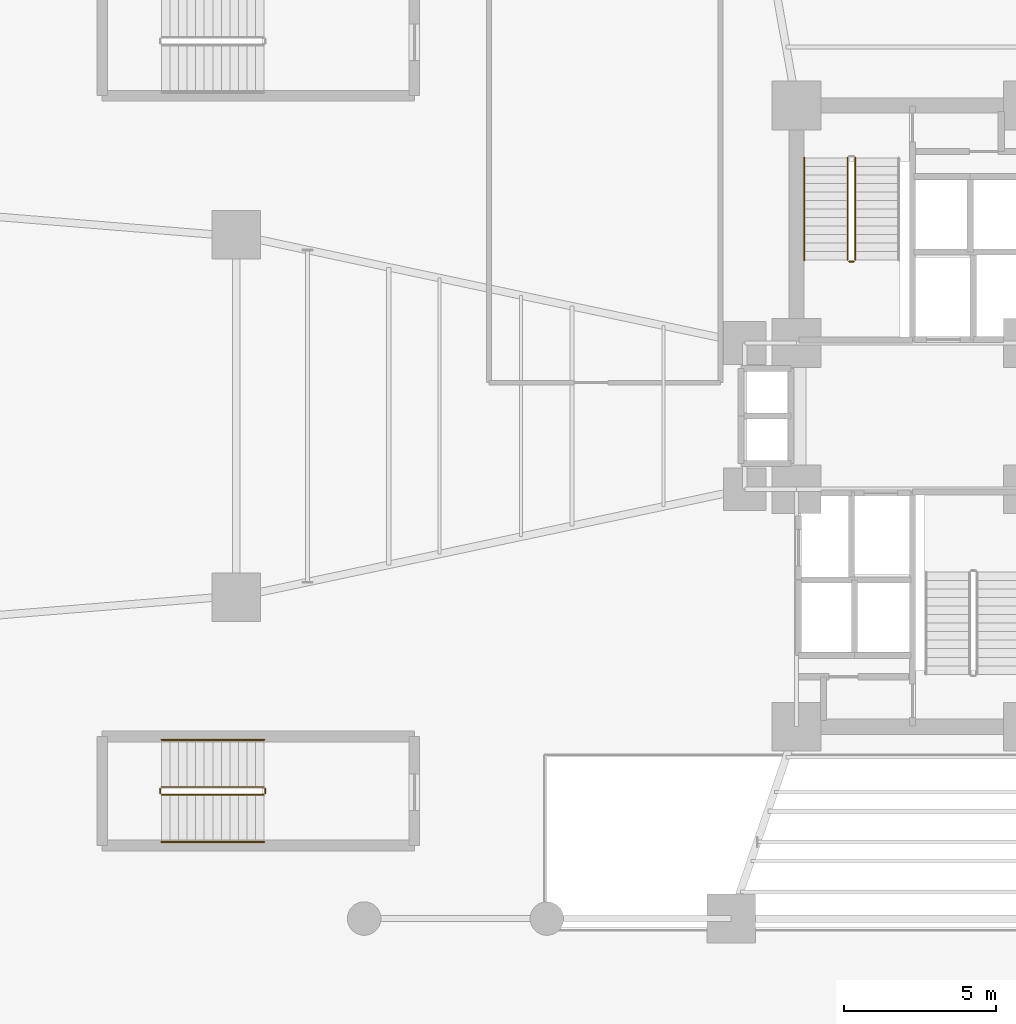
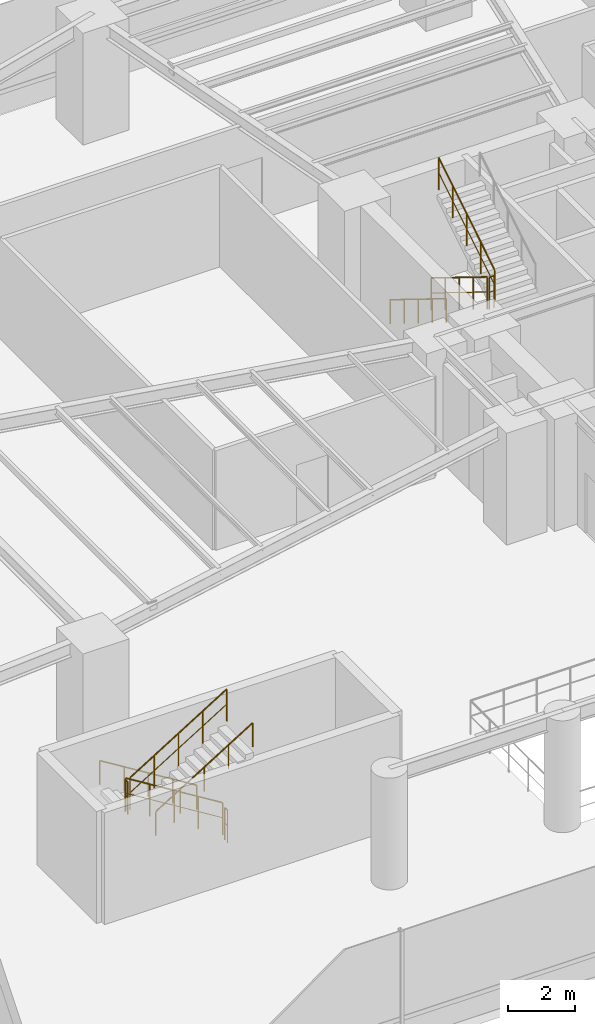
# One storey, part 20 of 23: 10 railings.
"""IFC4 building model written with IfcOpenShell, lengths in metres."""

import ifcopenshell
import ifcopenshell.guid

model = None  # the IFC model being written
_history = None  # IfcOwnerHistory: only IFC2X3 demands one
_inside = {}  # id of a spatial element -> (the spatial element, [elements in it])
_under = {}  # id of a project, library or spatial element -> (it, [spatial elements below it])
_declared = {}  # id of a project -> (the project, [libraries it declares])
_typed = {}  # id of a type object -> (the type object, [elements of that type])
_made_of = {}  # id of a material, layer set ... -> (it, [elements and type objects made of it])


def new_model(schema):
    """Start an empty IFC model of exactly this schema.

    Asked for "IFC4X3", IfcOpenShell would pick the latest addendum, in which some entities
    have other attributes; the version numbers below select the first issue.
    IFC2X3 requires an IfcOwnerHistory on every rooted entity: one is made here for all.
    """
    global model, _history
    if schema == "IFC4X3":
        model = ifcopenshell.file(schema_version=(4, 3, 0, 0))
    else:
        model = ifcopenshell.file(schema=schema)
    _inside.clear()
    _under.clear()
    _declared.clear()
    _typed.clear()
    _made_of.clear()
    _history = None
    if model.schema == "IFC2X3":
        org = make("IfcOrganization", Name="unknown")
        user = make(
            "IfcPersonAndOrganization",
            ThePerson=make("IfcPerson", FamilyName="unknown"),
            TheOrganization=org,
        )
        app = make(
            "IfcApplication",
            ApplicationDeveloper=org,
            Version="unknown",
            ApplicationFullName="unknown",
            ApplicationIdentifier="unknown",
        )
        _history = make(
            "IfcOwnerHistory",
            OwningUser=user,
            OwningApplication=app,
            ChangeAction="ADDED",
            CreationDate=0,
        )
    return model


def make(cls, **values):
    """One entity of the class cls with the attributes given. An attribute that is None is left unset."""
    return model.create_entity(
        cls, **{name: value for name, value in values.items() if value is not None}
    )


def rooted(cls, **values):
    """An entity with a GlobalId (a new one), such as an element, a storey or a relation."""
    return make(cls, GlobalId=ifcopenshell.guid.new(), OwnerHistory=_history, **values)


def si_unit(unit_type, name, prefix=None):
    """IfcSIUnit, for example si_unit("LENGTHUNIT", "METRE", prefix="MILLI")."""
    return make("IfcSIUnit", UnitType=unit_type, Prefix=prefix, Name=name)


def assignment(units):
    """IfcUnitAssignment: the units of a project."""
    return None if units is None else make("IfcUnitAssignment", Units=units)


def point(xyz):
    """IfcCartesianPoint."""
    return None if xyz is None else make("IfcCartesianPoint", Coordinates=xyz)


def direction(xyz):
    """IfcDirection."""
    return None if xyz is None else make("IfcDirection", DirectionRatios=xyz)


def frame(location, z_axis=None, x_axis=None):
    """IfcAxis2Placement3D, a coordinate frame: its origin and axes. An axis left out is left unset."""
    return make(
        "IfcAxis2Placement3D",
        Location=point(location),
        Axis=direction(z_axis),
        RefDirection=direction(x_axis),
    )


def frame_2d(location, x_axis=None):
    """IfcAxis2Placement2D, a coordinate frame in the plane: its origin and x axis."""
    return make(
        "IfcAxis2Placement2D", Location=point(location), RefDirection=direction(x_axis)
    )


def origin():
    """The frame at (0, 0, 0) with its axes left unset."""
    return frame((0.0, 0.0, 0.0))


def origin_2d():
    """The frame at (0, 0) in the plane with its x axis left unset."""
    return frame_2d((0.0, 0.0))


def place(relative_to, where):
    """IfcLocalPlacement: puts the frame where relative to a parent placement (None: the world)."""
    return make(
        "IfcLocalPlacement", PlacementRelTo=relative_to, RelativePlacement=where
    )


def context(
    kind, dimensions, precision=None, world=None, true_north=None, identifier=None
):
    """IfcGeometricRepresentationContext, for example the 3D "Model" context."""
    return make(
        "IfcGeometricRepresentationContext",
        ContextIdentifier=identifier,
        ContextType=kind,
        CoordinateSpaceDimension=dimensions,
        Precision=precision,
        WorldCoordinateSystem=world,
        TrueNorth=true_north,
    )


def subcontext(parent, identifier, kind, view, scale=None):
    """IfcGeometricRepresentationSubContext, for example "Body" below "Model"."""
    return make(
        "IfcGeometricRepresentationSubContext",
        ContextIdentifier=identifier,
        ContextType=kind,
        ParentContext=parent,
        TargetScale=scale,
        TargetView=view,
    )


def project(units=None, contexts=None):
    """IfcProject with its units and contexts."""
    return rooted(
        "IfcProject",
        Name="project",
        RepresentationContexts=contexts,
        UnitsInContext=assignment(units),
    )


def spatial(cls, under=None, at=None, **own):
    """A site, building, storey or space (cls), placed at a placement, below another one or the project."""
    s = rooted(cls, ObjectPlacement=at, **own)
    if under is not None:
        _under.setdefault(under.id(), (under, []))[1].append(s)
    return s


def profile(cls, at=None, kind="AREA", **sizes):
    """A parametric profile (cls). Its sizes go by their IFC names, for example OverallWidth=200.0."""
    return make(cls, ProfileType=kind, Position=at, **sizes)


def circle(**sizes):
    """IfcCircleProfileDef."""
    return profile("IfcCircleProfileDef", **sizes)


def extrude(swept, where, along, depth):
    """IfcExtrudedAreaSolid: the profile swept, set in the frame where, extruded along a direction by depth."""
    return make(
        "IfcExtrudedAreaSolid",
        SweptArea=swept,
        Position=where,
        ExtrudedDirection=direction(along),
        Depth=depth,
    )


def shape(context_of_items, identifier, shape_type, items):
    """IfcShapeRepresentation: the items that make up one representation, for example the "Body"."""
    return make(
        "IfcShapeRepresentation",
        ContextOfItems=context_of_items,
        RepresentationIdentifier=identifier,
        RepresentationType=shape_type,
        Items=items,
    )


def material(Name=None, Category=None):
    """IfcMaterial."""
    return make("IfcMaterial", Name=Name, Category=Category)


def made_of(thing, what):
    """Note that an element or type object is made of a material, layer set ...; save() writes the relation."""
    if what is not None:
        _made_of.setdefault(what.id(), (what, []))[1].append(thing)
    return thing


def type_object(cls, material=None, **own):
    """A type object (cls), such as IfcWallType, which elements share."""
    return made_of(rooted(cls, **own), material)


def element(
    cls,
    number,
    at=None,
    inside=None,
    cuts=None,
    type_object=None,
    material=None,
    context=None,
    identifier="Body",
    shape_type=None,
    held_by="IfcProductDefinitionShape",
    body=None,
    shapes=None,
    **own,
):
    """One element of the class cls, such as IfcWall. Its Tag is "e" and its number.

    at: its placement. inside: the storey or other place that contains it. cuts: it is an
    opening in that element (IfcRelVoidsElement). A single representation is given by context,
    identifier, shape_type and body (its items); several are given by shapes. held_by: the class
    of the entity that holds the representations. save() writes the other relations.
    """
    e = rooted(cls, Tag="e%d" % number, ObjectPlacement=at, **own)
    if body is not None:
        shapes = [shape(context, identifier, shape_type, body)]
    if shapes is not None:
        e.Representation = make(held_by, Representations=shapes)
    if inside is not None:
        _inside.setdefault(inside.id(), (inside, []))[1].append(e)
    if cuts is not None:
        rooted(
            "IfcRelVoidsElement", RelatingBuildingElement=cuts, RelatedOpeningElement=e
        )
    if type_object is not None:
        _typed.setdefault(type_object.id(), (type_object, []))[1].append(e)
    return made_of(e, material)


def aggregate(whole, parts):
    """IfcRelAggregates: a whole, such as a stair, and the parts it consists of."""
    return rooted("IfcRelAggregates", RelatingObject=whole, RelatedObjects=parts)


def save(model, path):
    """Write the relations noted so far, then the file.

    IfcRelAggregates (storeys below a building ...), IfcRelContainedInSpatialStructure (elements
    in a storey), IfcRelDefinesByType, IfcRelAssociatesMaterial and IfcRelDeclares: one each for
    every whole, place, type object, material and project.
    """
    for whole, parts in _under.values():
        aggregate(whole, parts)
    for where, things in _inside.values():
        rooted(
            "IfcRelContainedInSpatialStructure",
            RelatedElements=things,
            RelatingStructure=where,
        )
    for kind, things in _typed.values():
        rooted("IfcRelDefinesByType", RelatedObjects=things, RelatingType=kind)
    for what, things in _made_of.values():
        rooted("IfcRelAssociatesMaterial", RelatedObjects=things, RelatingMaterial=what)
    for by, libraries in _declared.values():
        rooted("IfcRelDeclares", RelatingContext=by, RelatedDefinitions=libraries)
    model.write(path)


model = new_model("IFC4")

# Units and contexts
model_context = context("Model", 3, precision=1e-05, world=origin(), true_north=direction((0.0, 1.0)))
body_context = subcontext(model_context, "Body", "Model", "MODEL_VIEW")
ifc_project = project(units=[si_unit("LENGTHUNIT", "METRE"), si_unit("AREAUNIT", "SQUARE_METRE"), si_unit("VOLUMEUNIT", "CUBIC_METRE"), si_unit("PLANEANGLEUNIT", "RADIAN"), si_unit("MASSUNIT", "GRAM", prefix="KILO")], contexts=[model_context])

# Site, building, storey
site_placement = place(None, origin())
site = spatial("IfcSite", under=ifc_project, at=site_placement, CompositionType="ELEMENT")
building_placement = place(site_placement, origin())
building = spatial("IfcBuilding", under=site, at=building_placement, Name="Sahyath Konkavel Grand Hotel", CompositionType="ELEMENT")
storey_placement = place(building_placement, frame((0.0, 0.0, 4.800048828125)))
storey = spatial("IfcBuildingStorey", under=building, at=storey_placement, Name="L01", CompositionType="ELEMENT", Elevation=4.800048828125)

# Railings
ifc_material_1 = material(Name="Steel E350", Category="steel")
railing_type_1 = type_object("IfcRailingType", Name="RLG-STAIR-GRD", PredefinedType="GUARDRAIL", material=ifc_material_1)
railing_1_placement = place(storey_placement, frame((-2.1298828125, 8.47998046875, 0.173095703125)))
element("IfcRailing", 1, at=railing_1_placement, inside=storey, type_object=railing_type_1, Name="L01 ST-1 stair guard 1", PredefinedType="GUARDRAIL", context=body_context, shape_type="SweptSolid", body=[
    extrude(circle(Radius=0.02392578125, at=origin_2d()), frame((0.0, -0.001708984375, 1.177001953125), z_axis=(0.0, -0.850606129759, 0.525803396734), x_axis=(1.0, 0.0, 0.0)), (0.0, 0.0, 1.0), 3.946044921875),
    extrude(circle(Radius=0.01416015625, at=origin_2d()), frame((0.0, -0.001708984375, 0.625), z_axis=(0.0, -0.850606129759, 0.525803396734), x_axis=(1.0, 0.0, 0.0)), (0.0, 0.0, 1.0), 3.946044921875),
    extrude(circle(Radius=0.02099609375, at=origin_2d()), origin(), (0.0, 0.0, 1.0), 1.15185546875),
    extrude(circle(Radius=0.02099609375, at=origin_2d()), frame((0.0, -0.83984375, 0.519287109375)), (0.0, 0.0, 1.0), 1.15185546875),
    extrude(circle(Radius=0.02099609375, at=origin_2d()), frame((0.0, -1.679931640625, 1.03857421875)), (0.0, 0.0, 1.0), 1.15185546875),
    extrude(circle(Radius=0.02099609375, at=origin_2d()), frame((0.0, -2.52001953125, 1.5576171875)), (0.0, 0.0, 1.0), 1.15185546875),
    extrude(circle(Radius=0.02099609375, at=origin_2d()), frame((0.0, -3.35986328125, 2.076904296875)), (0.0, 0.0, 1.0), 1.15185546875),
])
railing_2_placement = place(storey_placement, frame((-2.080078125, 5.070068359375, 2.25)))
element("IfcRailing", 2, at=railing_2_placement, inside=storey, type_object=railing_type_1, Name="L01 ST-1 stair guard 2", PredefinedType="GUARDRAIL", context=body_context, shape_type="SweptSolid", body=[
    extrude(circle(Radius=0.02392578125, at=origin_2d()), frame((0.001953125, 0.0, 1.17578125), z_axis=(1.0, 0.0, 0.0), x_axis=(0.0, 1.0, 0.0)), (0.0, 0.0, 1.0), 0.15625),
    extrude(circle(Radius=0.01416015625, at=origin_2d()), frame((0.001953125, 0.0, 0.6240234375), z_axis=(1.0, 0.0, 0.0), x_axis=(0.0, 1.0, 0.0)), (0.0, 0.0, 1.0), 0.15625),
    extrude(circle(Radius=0.02099609375, at=origin_2d()), origin(), (0.0, 0.0, 1.0), 1.15185546875),
    extrude(circle(Radius=0.02099609375, at=origin_2d()), frame((0.16015625, 0.0, 0.0)), (0.0, 0.0, 1.0), 1.15185546875),
])
railing_3_placement = place(storey_placement, frame((-1.8701171875, 5.1201171875, 2.423095703125)))
element("IfcRailing", 3, at=railing_3_placement, inside=storey, type_object=railing_type_1, Name="L01 ST-1 stair guard 3", PredefinedType="GUARDRAIL", context=body_context, shape_type="SweptSolid", body=[
    extrude(circle(Radius=0.02392578125, at=origin_2d()), frame((0.0, 0.001708984375, 1.177001953125), z_axis=(0.0, 0.850606129759, 0.525803396734), x_axis=(-1.0, 0.0, 0.0)), (0.0, 0.0, 1.0), 3.946044921875),
    extrude(circle(Radius=0.01416015625, at=origin_2d()), frame((0.0, 0.001708984375, 0.625), z_axis=(0.0, 0.850606129759, 0.525803396734), x_axis=(-1.0, 0.0, 0.0)), (0.0, 0.0, 1.0), 3.946044921875),
    extrude(circle(Radius=0.02099609375, at=origin_2d()), origin(), (0.0, 0.0, 1.0), 1.15185546875),
    extrude(circle(Radius=0.02099609375, at=origin_2d()), frame((0.0, 0.83984375, 0.519287109375)), (0.0, 0.0, 1.0), 1.15185546875),
    extrude(circle(Radius=0.02099609375, at=origin_2d()), frame((0.0, 1.679931640625, 1.03857421875)), (0.0, 0.0, 1.0), 1.15185546875),
    extrude(circle(Radius=0.02099609375, at=origin_2d()), frame((0.0, 2.52001953125, 1.5576171875)), (0.0, 0.0, 1.0), 1.15185546875),
    extrude(circle(Radius=0.02099609375, at=origin_2d()), frame((0.0, 3.35986328125, 2.076904296875)), (0.0, 0.0, 1.0), 1.15185546875),
])
railing_4_placement = place(storey_placement, frame((-21.2900390625, -12.179931640625, 0.173095703125)))
element("IfcRailing", 4, at=railing_4_placement, inside=storey, type_object=railing_type_1, Name="L01 ST-P3 stair guard 1", PredefinedType="GUARDRAIL", context=body_context, shape_type="SweptSolid", body=[
    extrude(circle(Radius=0.02392578125, at=origin_2d()), frame((-0.001708984375, 0.0, 1.177001953125), z_axis=(-0.850606129759, 0.0, 0.525803396734), x_axis=(0.0, -1.0, 0.0)), (0.0, 0.0, 1.0), 3.946044921875),
    extrude(circle(Radius=0.01416015625, at=origin_2d()), frame((-0.001708984375, 0.0, 0.625), z_axis=(-0.850606129759, 0.0, 0.525803396734), x_axis=(0.0, -1.0, 0.0)), (0.0, 0.0, 1.0), 3.946044921875),
    extrude(circle(Radius=0.02099609375, at=origin_2d()), origin(), (0.0, 0.0, 1.0), 1.15185546875),
    extrude(circle(Radius=0.02099609375, at=origin_2d()), frame((-0.83984375, 0.0, 0.519287109375)), (0.0, 0.0, 1.0), 1.15185546875),
    extrude(circle(Radius=0.02099609375, at=origin_2d()), frame((-1.679931640625, 0.0, 1.03857421875)), (0.0, 0.0, 1.0), 1.15185546875),
    extrude(circle(Radius=0.02099609375, at=origin_2d()), frame((-2.52001953125, 0.0, 1.5576171875)), (0.0, 0.0, 1.0), 1.15185546875),
    extrude(circle(Radius=0.02099609375, at=origin_2d()), frame((-3.35986328125, 0.0, 2.076904296875)), (0.0, 0.0, 1.0), 1.15185546875),
])
railing_5_placement = place(storey_placement, frame((-24.699951171875, -12.22998046875, 2.25)))
element("IfcRailing", 5, at=railing_5_placement, inside=storey, type_object=railing_type_1, Name="L01 ST-P3 stair guard 2", PredefinedType="GUARDRAIL", context=body_context, shape_type="SweptSolid", body=[
    extrude(circle(Radius=0.02392578125, at=origin_2d()), frame((0.0, -0.001953125, 1.17578125), z_axis=(0.0, -1.0, 0.0), x_axis=(1.0, 0.0, 0.0)), (0.0, 0.0, 1.0), 0.156005859375),
    extrude(circle(Radius=0.01416015625, at=origin_2d()), frame((0.0, -0.001953125, 0.6240234375), z_axis=(0.0, -1.0, 0.0), x_axis=(1.0, 0.0, 0.0)), (0.0, 0.0, 1.0), 0.156005859375),
    extrude(circle(Radius=0.02099609375, at=origin_2d()), origin(), (0.0, 0.0, 1.0), 1.15185546875),
    extrude(circle(Radius=0.02099609375, at=origin_2d()), frame((0.0, -0.159912109375, 0.0)), (0.0, 0.0, 1.0), 1.15185546875),
])
railing_6_placement = place(storey_placement, frame((-24.64990234375, -12.43994140625, 2.423095703125)))
element("IfcRailing", 6, at=railing_6_placement, inside=storey, type_object=railing_type_1, Name="L01 ST-P3 stair guard 3", PredefinedType="GUARDRAIL", context=body_context, shape_type="SweptSolid", body=[
    extrude(circle(Radius=0.02392578125, at=origin_2d()), frame((0.001708984375, 0.0, 1.177001953125), z_axis=(0.850606129759, 0.0, 0.525803396734), x_axis=(0.0, 1.0, 0.0)), (0.0, 0.0, 1.0), 3.946044921875),
    extrude(circle(Radius=0.01416015625, at=origin_2d()), frame((0.001708984375, 0.0, 0.625), z_axis=(0.850606129759, 0.0, 0.525803396734), x_axis=(0.0, 1.0, 0.0)), (0.0, 0.0, 1.0), 3.946044921875),
    extrude(circle(Radius=0.02099609375, at=origin_2d()), origin(), (0.0, 0.0, 1.0), 1.15185546875),
    extrude(circle(Radius=0.02099609375, at=origin_2d()), frame((0.83984375, 0.0, 0.519287109375)), (0.0, 0.0, 1.0), 1.15185546875),
    extrude(circle(Radius=0.02099609375, at=origin_2d()), frame((1.679931640625, 0.0, 1.03857421875)), (0.0, 0.0, 1.0), 1.15185546875),
    extrude(circle(Radius=0.02099609375, at=origin_2d()), frame((2.52001953125, 0.0, 1.5576171875)), (0.0, 0.0, 1.0), 1.15185546875),
    extrude(circle(Radius=0.02099609375, at=origin_2d()), frame((3.35986328125, 0.0, 2.076904296875)), (0.0, 0.0, 1.0), 1.15185546875),
])
railing_7_placement = place(storey_placement, frame((-21.239990234375, -12.22998046875, 0.0)))
element("IfcRailing", 7, at=railing_7_placement, inside=storey, type_object=railing_type_1, Name="L01 ST-P3 stair guard 4", PredefinedType="GUARDRAIL", context=body_context, shape_type="SweptSolid", body=[
    extrude(circle(Radius=0.02392578125, at=origin_2d()), frame((0.0, -0.001953125, 1.17578125), z_axis=(0.0, -1.0, 0.0), x_axis=(1.0, 0.0, 0.0)), (0.0, 0.0, 1.0), 0.156005859375),
    extrude(circle(Radius=0.01416015625, at=origin_2d()), frame((0.0, -0.001953125, 0.6240234375), z_axis=(0.0, -1.0, 0.0), x_axis=(1.0, 0.0, 0.0)), (0.0, 0.0, 1.0), 0.156005859375),
    extrude(circle(Radius=0.02099609375, at=origin_2d()), origin(), (0.0, 0.0, 1.0), 1.15185546875),
    extrude(circle(Radius=0.02099609375, at=origin_2d()), frame((0.0, -0.159912109375, 0.0)), (0.0, 0.0, 1.0), 1.15185546875),
])
ifc_material_2 = material(Name="Anodised Bronze Aluminium", Category="aluminium")
railing_type_2 = type_object("IfcRailingType", Name="RLG-STAIR-HND", PredefinedType="HANDRAIL", material=ifc_material_2)
railing_8_placement = place(storey_placement, frame((-3.550048828125, 8.47998046875, 0.173095703125)))
element("IfcRailing", 8, at=railing_8_placement, inside=storey, type_object=railing_type_2, Name="L01 ST-1 stair handrail 1", PredefinedType="HANDRAIL", context=body_context, shape_type="SweptSolid", body=[
    extrude(circle(Radius=0.02392578125, at=origin_2d()), frame((0.0, -0.001708984375, 0.876953125), z_axis=(0.0, -0.850606129759, 0.525803396734), x_axis=(1.0, 0.0, 0.0)), (0.0, 0.0, 1.0), 3.946044921875),
    extrude(circle(Radius=0.02099609375, at=origin_2d()), origin(), (0.0, 0.0, 1.0), 0.851806640625),
    extrude(circle(Radius=0.02099609375, at=origin_2d()), frame((0.0, -0.83984375, 0.519287109375)), (0.0, 0.0, 1.0), 0.851806640625),
    extrude(circle(Radius=0.02099609375, at=origin_2d()), frame((0.0, -1.679931640625, 1.03857421875)), (0.0, 0.0, 1.0), 0.851806640625),
    extrude(circle(Radius=0.02099609375, at=origin_2d()), frame((0.0, -2.52001953125, 1.5576171875)), (0.0, 0.0, 1.0), 0.851806640625),
    extrude(circle(Radius=0.02099609375, at=origin_2d()), frame((0.0, -3.35986328125, 2.076904296875)), (0.0, 0.0, 1.0), 0.851806640625),
])
railing_9_placement = place(storey_placement, frame((-21.2900390625, -10.6298828125, 0.173095703125)))
element("IfcRailing", 9, at=railing_9_placement, inside=storey, type_object=railing_type_2, Name="L01 ST-P3 stair handrail 1", PredefinedType="HANDRAIL", context=body_context, shape_type="SweptSolid", body=[
    extrude(circle(Radius=0.02392578125, at=origin_2d()), frame((-0.001708984375, 0.0, 0.876953125), z_axis=(-0.850606129759, 0.0, 0.525803396734), x_axis=(0.0, -1.0, 0.0)), (0.0, 0.0, 1.0), 3.946044921875),
    extrude(circle(Radius=0.02099609375, at=origin_2d()), origin(), (0.0, 0.0, 1.0), 0.851806640625),
    extrude(circle(Radius=0.02099609375, at=origin_2d()), frame((-0.83984375, 0.0, 0.519287109375)), (0.0, 0.0, 1.0), 0.851806640625),
    extrude(circle(Radius=0.02099609375, at=origin_2d()), frame((-1.679931640625, 0.0, 1.03857421875)), (0.0, 0.0, 1.0), 0.851806640625),
    extrude(circle(Radius=0.02099609375, at=origin_2d()), frame((-2.52001953125, 0.0, 1.5576171875)), (0.0, 0.0, 1.0), 0.851806640625),
    extrude(circle(Radius=0.02099609375, at=origin_2d()), frame((-3.35986328125, 0.0, 2.076904296875)), (0.0, 0.0, 1.0), 0.851806640625),
])
railing_10_placement = place(storey_placement, frame((-24.64990234375, -13.989990234375, 2.423095703125)))
element("IfcRailing", 10, at=railing_10_placement, inside=storey, type_object=railing_type_2, Name="L01 ST-P3 stair handrail 2", PredefinedType="HANDRAIL", context=body_context, shape_type="SweptSolid", body=[
    extrude(circle(Radius=0.02392578125, at=origin_2d()), frame((0.001708984375, 0.0, 0.876953125), z_axis=(0.850606129759, 0.0, 0.525803396734), x_axis=(0.0, 1.0, 0.0)), (0.0, 0.0, 1.0), 3.946044921875),
    extrude(circle(Radius=0.02099609375, at=origin_2d()), origin(), (0.0, 0.0, 1.0), 0.851806640625),
    extrude(circle(Radius=0.02099609375, at=origin_2d()), frame((0.83984375, 0.0, 0.519287109375)), (0.0, 0.0, 1.0), 0.851806640625),
    extrude(circle(Radius=0.02099609375, at=origin_2d()), frame((1.679931640625, 0.0, 1.03857421875)), (0.0, 0.0, 1.0), 0.851806640625),
    extrude(circle(Radius=0.02099609375, at=origin_2d()), frame((2.52001953125, 0.0, 1.5576171875)), (0.0, 0.0, 1.0), 0.851806640625),
    extrude(circle(Radius=0.02099609375, at=origin_2d()), frame((3.35986328125, 0.0, 2.076904296875)), (0.0, 0.0, 1.0), 0.851806640625),
])

save(model, "model.ifc")
